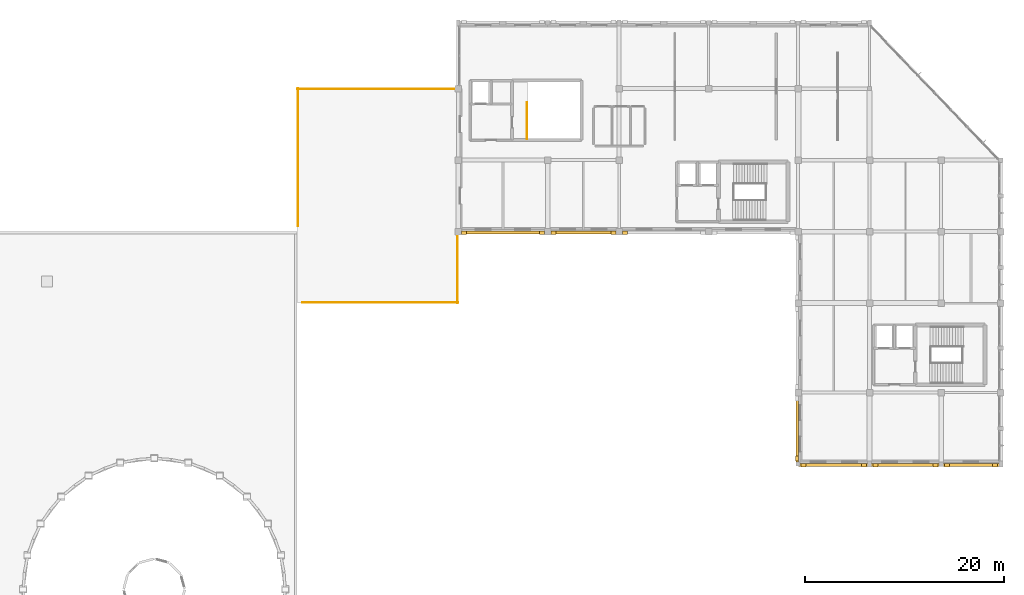
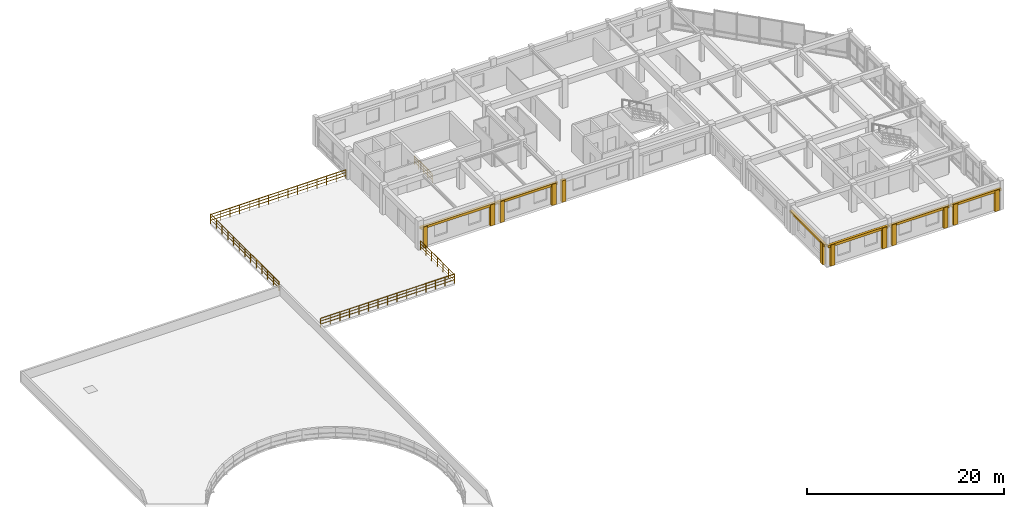
# One storey, part 16 of 18: 18 coverings, 5 railings.
"""IFC4 building model written with IfcOpenShell, lengths in metres."""

import ifcopenshell
import ifcopenshell.guid

model = None  # the IFC model being written
_history = None  # IfcOwnerHistory: only IFC2X3 demands one
_inside = {}  # id of a spatial element -> (the spatial element, [elements in it])
_under = {}  # id of a project, library or spatial element -> (it, [spatial elements below it])
_declared = {}  # id of a project -> (the project, [libraries it declares])
_typed = {}  # id of a type object -> (the type object, [elements of that type])
_made_of = {}  # id of a material, layer set ... -> (it, [elements and type objects made of it])


def new_model(schema):
    """Start an empty IFC model of exactly this schema.

    Asked for "IFC4X3", IfcOpenShell would pick the latest addendum, in which some entities
    have other attributes; the version numbers below select the first issue.
    IFC2X3 requires an IfcOwnerHistory on every rooted entity: one is made here for all.
    """
    global model, _history
    if schema == "IFC4X3":
        model = ifcopenshell.file(schema_version=(4, 3, 0, 0))
    else:
        model = ifcopenshell.file(schema=schema)
    _inside.clear()
    _under.clear()
    _declared.clear()
    _typed.clear()
    _made_of.clear()
    _history = None
    if model.schema == "IFC2X3":
        org = make("IfcOrganization", Name="unknown")
        user = make(
            "IfcPersonAndOrganization",
            ThePerson=make("IfcPerson", FamilyName="unknown"),
            TheOrganization=org,
        )
        app = make(
            "IfcApplication",
            ApplicationDeveloper=org,
            Version="unknown",
            ApplicationFullName="unknown",
            ApplicationIdentifier="unknown",
        )
        _history = make(
            "IfcOwnerHistory",
            OwningUser=user,
            OwningApplication=app,
            ChangeAction="ADDED",
            CreationDate=0,
        )
    return model


def make(cls, **values):
    """One entity of the class cls with the attributes given. An attribute that is None is left unset."""
    return model.create_entity(
        cls, **{name: value for name, value in values.items() if value is not None}
    )


def rooted(cls, **values):
    """An entity with a GlobalId (a new one), such as an element, a storey or a relation."""
    return make(cls, GlobalId=ifcopenshell.guid.new(), OwnerHistory=_history, **values)


def si_unit(unit_type, name, prefix=None):
    """IfcSIUnit, for example si_unit("LENGTHUNIT", "METRE", prefix="MILLI")."""
    return make("IfcSIUnit", UnitType=unit_type, Prefix=prefix, Name=name)


def assignment(units):
    """IfcUnitAssignment: the units of a project."""
    return None if units is None else make("IfcUnitAssignment", Units=units)


def point(xyz):
    """IfcCartesianPoint."""
    return None if xyz is None else make("IfcCartesianPoint", Coordinates=xyz)


def direction(xyz):
    """IfcDirection."""
    return None if xyz is None else make("IfcDirection", DirectionRatios=xyz)


def frame(location, z_axis=None, x_axis=None):
    """IfcAxis2Placement3D, a coordinate frame: its origin and axes. An axis left out is left unset."""
    return make(
        "IfcAxis2Placement3D",
        Location=point(location),
        Axis=direction(z_axis),
        RefDirection=direction(x_axis),
    )


def frame_2d(location, x_axis=None):
    """IfcAxis2Placement2D, a coordinate frame in the plane: its origin and x axis."""
    return make(
        "IfcAxis2Placement2D", Location=point(location), RefDirection=direction(x_axis)
    )


def origin():
    """The frame at (0, 0, 0) with its axes left unset."""
    return frame((0.0, 0.0, 0.0))


def origin_2d():
    """The frame at (0, 0) in the plane with its x axis left unset."""
    return frame_2d((0.0, 0.0))


def place(relative_to, where):
    """IfcLocalPlacement: puts the frame where relative to a parent placement (None: the world)."""
    return make(
        "IfcLocalPlacement", PlacementRelTo=relative_to, RelativePlacement=where
    )


def context(
    kind, dimensions, precision=None, world=None, true_north=None, identifier=None
):
    """IfcGeometricRepresentationContext, for example the 3D "Model" context."""
    return make(
        "IfcGeometricRepresentationContext",
        ContextIdentifier=identifier,
        ContextType=kind,
        CoordinateSpaceDimension=dimensions,
        Precision=precision,
        WorldCoordinateSystem=world,
        TrueNorth=true_north,
    )


def subcontext(parent, identifier, kind, view, scale=None):
    """IfcGeometricRepresentationSubContext, for example "Body" below "Model"."""
    return make(
        "IfcGeometricRepresentationSubContext",
        ContextIdentifier=identifier,
        ContextType=kind,
        ParentContext=parent,
        TargetScale=scale,
        TargetView=view,
    )


def project(units=None, contexts=None):
    """IfcProject with its units and contexts."""
    return rooted(
        "IfcProject",
        Name="project",
        RepresentationContexts=contexts,
        UnitsInContext=assignment(units),
    )


def spatial(cls, under=None, at=None, **own):
    """A site, building, storey or space (cls), placed at a placement, below another one or the project."""
    s = rooted(cls, ObjectPlacement=at, **own)
    if under is not None:
        _under.setdefault(under.id(), (under, []))[1].append(s)
    return s


def profile(cls, at=None, kind="AREA", **sizes):
    """A parametric profile (cls). Its sizes go by their IFC names, for example OverallWidth=200.0."""
    return make(cls, ProfileType=kind, Position=at, **sizes)


def rectangle(**sizes):
    """IfcRectangleProfileDef."""
    return profile("IfcRectangleProfileDef", **sizes)


def circle(**sizes):
    """IfcCircleProfileDef."""
    return profile("IfcCircleProfileDef", **sizes)


def extrude(swept, where, along, depth):
    """IfcExtrudedAreaSolid: the profile swept, set in the frame where, extruded along a direction by depth."""
    return make(
        "IfcExtrudedAreaSolid",
        SweptArea=swept,
        Position=where,
        ExtrudedDirection=direction(along),
        Depth=depth,
    )


def shape(context_of_items, identifier, shape_type, items):
    """IfcShapeRepresentation: the items that make up one representation, for example the "Body"."""
    return make(
        "IfcShapeRepresentation",
        ContextOfItems=context_of_items,
        RepresentationIdentifier=identifier,
        RepresentationType=shape_type,
        Items=items,
    )


def material(Name=None, Category=None):
    """IfcMaterial."""
    return make("IfcMaterial", Name=Name, Category=Category)


def layer(
    of_material, thickness, ventilated=None, Name=None, Category=None, Priority=None
):
    """IfcMaterialLayer: one layer of a wall or slab, of a material (None: an air gap)."""
    return make(
        "IfcMaterialLayer",
        Material=of_material,
        LayerThickness=thickness,
        IsVentilated=ventilated,
        Name=Name,
        Category=Category,
        Priority=Priority,
    )


def layer_set(layers, Name=None):
    """IfcMaterialLayerSet."""
    return make("IfcMaterialLayerSet", MaterialLayers=layers, LayerSetName=Name)


def made_of(thing, what):
    """Note that an element or type object is made of a material, layer set ...; save() writes the relation."""
    if what is not None:
        _made_of.setdefault(what.id(), (what, []))[1].append(thing)
    return thing


def type_object(cls, material=None, **own):
    """A type object (cls), such as IfcWallType, which elements share."""
    return made_of(rooted(cls, **own), material)


def element(
    cls,
    number,
    at=None,
    inside=None,
    cuts=None,
    type_object=None,
    material=None,
    context=None,
    identifier="Body",
    shape_type=None,
    held_by="IfcProductDefinitionShape",
    body=None,
    shapes=None,
    **own,
):
    """One element of the class cls, such as IfcWall. Its Tag is "e" and its number.

    at: its placement. inside: the storey or other place that contains it. cuts: it is an
    opening in that element (IfcRelVoidsElement). A single representation is given by context,
    identifier, shape_type and body (its items); several are given by shapes. held_by: the class
    of the entity that holds the representations. save() writes the other relations.
    """
    e = rooted(cls, Tag="e%d" % number, ObjectPlacement=at, **own)
    if body is not None:
        shapes = [shape(context, identifier, shape_type, body)]
    if shapes is not None:
        e.Representation = make(held_by, Representations=shapes)
    if inside is not None:
        _inside.setdefault(inside.id(), (inside, []))[1].append(e)
    if cuts is not None:
        rooted(
            "IfcRelVoidsElement", RelatingBuildingElement=cuts, RelatedOpeningElement=e
        )
    if type_object is not None:
        _typed.setdefault(type_object.id(), (type_object, []))[1].append(e)
    return made_of(e, material)


def aggregate(whole, parts):
    """IfcRelAggregates: a whole, such as a stair, and the parts it consists of."""
    return rooted("IfcRelAggregates", RelatingObject=whole, RelatedObjects=parts)


def save(model, path):
    """Write the relations noted so far, then the file.

    IfcRelAggregates (storeys below a building ...), IfcRelContainedInSpatialStructure (elements
    in a storey), IfcRelDefinesByType, IfcRelAssociatesMaterial and IfcRelDeclares: one each for
    every whole, place, type object, material and project.
    """
    for whole, parts in _under.values():
        aggregate(whole, parts)
    for where, things in _inside.values():
        rooted(
            "IfcRelContainedInSpatialStructure",
            RelatedElements=things,
            RelatingStructure=where,
        )
    for kind, things in _typed.values():
        rooted("IfcRelDefinesByType", RelatedObjects=things, RelatingType=kind)
    for what, things in _made_of.values():
        rooted("IfcRelAssociatesMaterial", RelatedObjects=things, RelatingMaterial=what)
    for by, libraries in _declared.values():
        rooted("IfcRelDeclares", RelatingContext=by, RelatedDefinitions=libraries)
    model.write(path)


model = new_model("IFC4")

# Units and contexts
model_context = context("Model", 3, precision=1e-05, world=origin(), true_north=direction((0.0, 1.0)))
body_context = subcontext(model_context, "Body", "Model", "MODEL_VIEW")
ifc_project = project(units=[si_unit("LENGTHUNIT", "METRE"), si_unit("AREAUNIT", "SQUARE_METRE"), si_unit("VOLUMEUNIT", "CUBIC_METRE"), si_unit("PLANEANGLEUNIT", "RADIAN"), si_unit("MASSUNIT", "GRAM", prefix="KILO")], contexts=[model_context])

# Site, building, storey
site_placement = place(None, origin())
site = spatial("IfcSite", under=ifc_project, at=site_placement, CompositionType="ELEMENT")
building_placement = place(site_placement, origin())
building = spatial("IfcBuilding", under=site, at=building_placement, Name="Clarverna Civic Hall", CompositionType="ELEMENT")
storey_placement = place(building_placement, frame((0.0, 0.0, 20.39990234375)))
storey = spatial("IfcBuildingStorey", under=building, at=storey_placement, Name="L05", CompositionType="ELEMENT", Elevation=20.39990234375)

# Coverings
ifc_material_1 = material(Name="Montjuic Buff Limestone Ashlar Cladding", Category="masonry")
ifc_layer = layer(ifc_material_1, 0.070068359375)
ifc_layer_set = layer_set([ifc_layer], Name="Montjuic Buff Limestone Ashlar Cladding")
covering_type = type_object("IfcCoveringType", Name="CV-CL2", PredefinedType="CLADDING", material=ifc_layer_set)
covering_1_placement = place(storey_placement, frame((167.93994140625, 71.52001953125, 2.31005859375), z_axis=(0.0, 0.0, 1.0), x_axis=(-1.0, 0.0, 0.0)))
element("IfcCovering", 1, at=covering_1_placement, inside=storey, type_object=covering_type, Name="CV-CL2-869", PredefinedType="CLADDING", context=body_context, shape_type="SweptSolid", body=[
    extrude(rectangle(XDim=5.8798828125, YDim=0.280029296875, at=frame_2d((2.93994140625, 0.0))), origin(), (0.0, 0.0, 1.0), 0.300048828125),
])
for number, where, z_axis, x_axis, name in (
    (2, (167.679931640625, 71.489990234375, 0.0), (0.0, 0.0, 1.0), (-1.0, 0.0, 0.0), "CV-CL2-870"),
    (3, (162.820068359375, 71.489990234375, 0.0), (0.0, 0.0, 1.0), (-1.0, 0.0, 0.0), "CV-CL2-871"),
):
    element("IfcCovering", number, at=place(storey_placement, frame(where, z_axis=z_axis, x_axis=x_axis)), inside=storey, type_object=covering_type, Name=name, PredefinedType="CLADDING", context=body_context, shape_type="SweptSolid", body=[
        extrude(rectangle(XDim=0.5, YDim=0.340087890625, at=frame_2d((0.25, 0.0))), origin(), (0.0, 0.0, 1.0), 2.590087890625),
    ])
covering_2_placement = place(storey_placement, frame((161.93994140625, 71.52001953125, 2.31005859375), z_axis=(0.0, 0.0, 1.0), x_axis=(-1.0, 0.0, 0.0)))
element("IfcCovering", 4, at=covering_2_placement, inside=storey, type_object=covering_type, Name="CV-CL2-872", PredefinedType="CLADDING", context=body_context, shape_type="SweptSolid", body=[
    extrude(rectangle(XDim=7.079833984375, YDim=0.280029296875, at=frame_2d((3.5400390625, 0.0))), origin(), (0.0, 0.0, 1.0), 0.300048828125),
])
for number, where, z_axis, x_axis, name in (
    (5, (161.679931640625, 71.489990234375, 0.0), (0.0, 0.0, 1.0), (-1.0, 0.0, 0.0), "CV-CL2-873"),
    (6, (155.6201171875, 71.489990234375, 0.0), (0.0, 0.0, 1.0), (-1.0, 0.0, 0.0), "CV-CL2-874"),
):
    element("IfcCovering", number, at=place(storey_placement, frame(where, z_axis=z_axis, x_axis=x_axis)), inside=storey, type_object=covering_type, Name=name, PredefinedType="CLADDING", context=body_context, shape_type="SweptSolid", body=[
        extrude(rectangle(XDim=0.5, YDim=0.340087890625, at=frame_2d((0.25, 0.0))), origin(), (0.0, 0.0, 1.0), 2.590087890625),
    ])
covering_3_placement = place(storey_placement, frame((154.739990234375, 71.52001953125, 2.31005859375), z_axis=(0.0, 0.0, 1.0), x_axis=(-1.0, 0.0, 0.0)))
element("IfcCovering", 7, at=covering_3_placement, inside=storey, type_object=covering_type, Name="CV-CL2-875", PredefinedType="CLADDING", context=body_context, shape_type="SweptSolid", body=[
    extrude(rectangle(XDim=7.080078125, YDim=0.280029296875, at=frame_2d((3.5400390625, 0.0))), origin(), (0.0, 0.0, 1.0), 0.300048828125),
])
for number, where, z_axis, x_axis, name in (
    (8, (154.47998046875, 71.489990234375, 0.0), (0.0, 0.0, 1.0), (-1.0, 0.0, 0.0), "CV-CL2-876"),
    (9, (148.419921875, 71.489990234375, 0.0), (0.0, 0.0, 1.0), (-1.0, 0.0, 0.0), "CV-CL2-877"),
):
    element("IfcCovering", number, at=place(storey_placement, frame(where, z_axis=z_axis, x_axis=x_axis)), inside=storey, type_object=covering_type, Name=name, PredefinedType="CLADDING", context=body_context, shape_type="SweptSolid", body=[
        extrude(rectangle(XDim=0.5, YDim=0.340087890625, at=frame_2d((0.25, 0.0))), origin(), (0.0, 0.0, 1.0), 2.590087890625),
    ])
covering_4_placement = place(storey_placement, frame((147.52001953125, 71.659912109375, 2.340087890625), z_axis=(0.0, 0.0, 1.0), x_axis=(0.0, 1.0, 0.0)))
element("IfcCovering", 10, at=covering_4_placement, inside=storey, type_object=covering_type, Name="CV-CL2-878", PredefinedType="CLADDING", context=body_context, shape_type="SweptSolid", body=[
    extrude(rectangle(XDim=7.080078125, YDim=0.280029296875, at=frame_2d((3.5400390625, 0.0))), origin(), (0.0, 0.0, 1.0), 0.300048828125),
])
covering_5_placement = place(storey_placement, frame((147.489990234375, 71.919921875, 0.0), z_axis=(0.0, 0.0, 1.0), x_axis=(0.0, 1.0, 0.0)))
element("IfcCovering", 11, at=covering_5_placement, inside=storey, type_object=covering_type, Name="CV-CL2-879", PredefinedType="CLADDING", context=body_context, shape_type="SweptSolid", body=[
    extrude(rectangle(XDim=0.5, YDim=0.340087890625, at=frame_2d((0.25, 0.0))), origin(), (0.0, 0.0, 1.0), 2.6201171875),
])
covering_6_placement = place(storey_placement, frame((130.419921875, 94.889892578125, 0.0), z_axis=(0.0, 0.0, 1.0), x_axis=(-1.0, 0.0, 0.0)))
element("IfcCovering", 12, at=covering_6_placement, inside=storey, type_object=covering_type, Name="CV-CL2-892", PredefinedType="CLADDING", context=body_context, shape_type="SweptSolid", body=[
    extrude(rectangle(XDim=0.5, YDim=0.340087890625, at=frame_2d((0.25, 0.0))), origin(), (0.0, 0.0, 1.0), 2.66015625),
])
covering_7_placement = place(storey_placement, frame((129.5400390625, 94.919921875, 2.340087890625), z_axis=(0.0, 0.0, 1.0), x_axis=(-1.0, 0.0, 0.0)))
element("IfcCovering", 13, at=covering_7_placement, inside=storey, type_object=covering_type, Name="CV-CL2-893", PredefinedType="CLADDING", context=body_context, shape_type="SweptSolid", body=[
    extrude(rectangle(XDim=7.080078125, YDim=0.280029296875, at=frame_2d((3.5400390625, 0.0))), origin(), (0.0, 0.0, 1.0), 0.300048828125),
])
for number, where, z_axis, x_axis, name in (
    (14, (129.280029296875, 94.889892578125, 0.0), (0.0, 0.0, 1.0), (-1.0, 0.0, 0.0), "CV-CL2-894"),
    (15, (123.219970703125, 94.889892578125, 0.0), (0.0, 0.0, 1.0), (-1.0, 0.0, 0.0), "CV-CL2-895"),
):
    element("IfcCovering", number, at=place(storey_placement, frame(where, z_axis=z_axis, x_axis=x_axis)), inside=storey, type_object=covering_type, Name=name, PredefinedType="CLADDING", context=body_context, shape_type="SweptSolid", body=[
        extrude(rectangle(XDim=0.5, YDim=0.340087890625, at=frame_2d((0.25, 0.0))), origin(), (0.0, 0.0, 1.0), 2.6201171875),
    ])
covering_8_placement = place(storey_placement, frame((122.340087890625, 94.919921875, 2.340087890625), z_axis=(0.0, 0.0, 1.0), x_axis=(-1.0, 0.0, 0.0)))
element("IfcCovering", 16, at=covering_8_placement, inside=storey, type_object=covering_type, Name="CV-CL2-896", PredefinedType="CLADDING", context=body_context, shape_type="SweptSolid", body=[
    extrude(rectangle(XDim=8.880126953125, YDim=0.280029296875, at=frame_2d((4.43994140625, 0.0))), origin(), (0.0, 0.0, 1.0), 0.300048828125),
])
for number, where, z_axis, x_axis, name in (
    (17, (122.080078125, 94.889892578125, 0.0), (0.0, 0.0, 1.0), (-1.0, 0.0, 0.0), "CV-CL2-897"),
    (18, (114.219970703125, 94.889892578125, 0.0), (0.0, 0.0, 1.0), (-1.0, 0.0, 0.0), "CV-CL2-898"),
):
    element("IfcCovering", number, at=place(storey_placement, frame(where, z_axis=z_axis, x_axis=x_axis)), inside=storey, type_object=covering_type, Name=name, PredefinedType="CLADDING", context=body_context, shape_type="SweptSolid", body=[
        extrude(rectangle(XDim=0.5, YDim=0.340087890625, at=frame_2d((0.25, 0.0))), origin(), (0.0, 0.0, 1.0), 2.6201171875),
    ])

# Railings
ifc_material_2 = material(Name="Anodised Bronze Architectural Balustrade")
railing_type_1 = type_object("IfcRailingType", Name="GR-01", PredefinedType="BALUSTRADE", material=ifc_material_2)
railing_1_placement = place(storey_placement, frame((113.340087890625, 94.679931640625, 0.0)))
element("IfcRailing", 19, at=railing_1_placement, inside=storey, type_object=railing_type_1, Name="GR-01-037", PredefinedType="BALUSTRADE", context=body_context, shape_type="SweptSolid", body=[
    extrude(circle(Radius=0.02392578125, at=origin_2d()), frame((0.0, 0.0, 1.09619140625), z_axis=(0.0, -1.0, 0.0), x_axis=(1.0, 0.0, 0.0)), (0.0, 0.0, 1.0), 6.8798828125),
    extrude(circle(Radius=0.011962890625, at=origin_2d()), frame((0.0, 0.0, 0.39208984375), z_axis=(0.0, -1.0, 0.0), x_axis=(1.0, 0.0, 0.0)), (0.0, 0.0, 1.0), 6.8798828125),
    extrude(circle(Radius=0.011962890625, at=origin_2d()), frame((0.0, 0.0, 0.76171875), z_axis=(0.0, -1.0, 0.0), x_axis=(1.0, 0.0, 0.0)), (0.0, 0.0, 1.0), 6.8798828125),
    extrude(circle(Radius=0.02099609375, at=origin_2d()), origin(), (0.0, 0.0, 1.0), 1.072021484375),
    extrude(circle(Radius=0.02099609375, at=origin_2d()), frame((0.0, -1.146728515625, 0.0)), (0.0, 0.0, 1.0), 1.072021484375),
    extrude(circle(Radius=0.02099609375, at=origin_2d()), frame((0.0, -2.293212890625, 0.0)), (0.0, 0.0, 1.0), 1.072021484375),
    extrude(circle(Radius=0.02099609375, at=origin_2d()), frame((0.0, -3.43994140625, 0.0)), (0.0, 0.0, 1.0), 1.072021484375),
    extrude(circle(Radius=0.02099609375, at=origin_2d()), frame((0.0, -4.586669921875, 0.0)), (0.0, 0.0, 1.0), 1.072021484375),
    extrude(circle(Radius=0.02099609375, at=origin_2d()), frame((0.0, -5.733154296875, 0.0)), (0.0, 0.0, 1.0), 1.072021484375),
    extrude(circle(Radius=0.02099609375, at=origin_2d()), frame((0.0, -6.8798828125, 0.0)), (0.0, 0.0, 1.0), 1.072021484375),
])
railing_2_placement = place(storey_placement, frame((113.39990234375, 87.860107421875, 0.0)))
element("IfcRailing", 20, at=railing_2_placement, inside=storey, type_object=railing_type_1, Name="GR-01-038", PredefinedType="BALUSTRADE", context=body_context, shape_type="SweptSolid", body=[
    extrude(circle(Radius=0.02392578125, at=origin_2d()), frame((0.0, 0.0, 1.09619140625), z_axis=(-1.0, 0.0, 0.0), x_axis=(0.0, -1.0, 0.0)), (0.0, 0.0, 1.0), 15.6748046875),
    extrude(circle(Radius=0.011962890625, at=origin_2d()), frame((0.0, 0.0, 0.39208984375), z_axis=(-1.0, 0.0, 0.0), x_axis=(0.0, -1.0, 0.0)), (0.0, 0.0, 1.0), 15.6748046875),
    extrude(circle(Radius=0.011962890625, at=origin_2d()), frame((0.0, 0.0, 0.76171875), z_axis=(-1.0, 0.0, 0.0), x_axis=(0.0, -1.0, 0.0)), (0.0, 0.0, 1.0), 15.6748046875),
    extrude(circle(Radius=0.02099609375, at=origin_2d()), origin(), (0.0, 0.0, 1.0), 1.072021484375),
    extrude(circle(Radius=0.02099609375, at=origin_2d()), frame((-1.11962890625, 0.0, 0.0)), (0.0, 0.0, 1.0), 1.072021484375),
    extrude(circle(Radius=0.02099609375, at=origin_2d()), frame((-2.2392578125, 0.0, 0.0)), (0.0, 0.0, 1.0), 1.072021484375),
    extrude(circle(Radius=0.02099609375, at=origin_2d()), frame((-3.35888671875, 0.0, 0.0)), (0.0, 0.0, 1.0), 1.072021484375),
    extrude(circle(Radius=0.02099609375, at=origin_2d()), frame((-4.478515625, 0.0, 0.0)), (0.0, 0.0, 1.0), 1.072021484375),
    extrude(circle(Radius=0.02099609375, at=origin_2d()), frame((-5.59814453125, 0.0, 0.0)), (0.0, 0.0, 1.0), 1.072021484375),
    extrude(circle(Radius=0.02099609375, at=origin_2d()), frame((-6.7177734375, 0.0, 0.0)), (0.0, 0.0, 1.0), 1.072021484375),
    extrude(circle(Radius=0.02099609375, at=origin_2d()), frame((-7.83740234375, 0.0, 0.0)), (0.0, 0.0, 1.0), 1.072021484375),
    extrude(circle(Radius=0.02099609375, at=origin_2d()), frame((-8.95703125, 0.0, 0.0)), (0.0, 0.0, 1.0), 1.072021484375),
    extrude(circle(Radius=0.02099609375, at=origin_2d()), frame((-10.07666015625, 0.0, 0.0)), (0.0, 0.0, 1.0), 1.072021484375),
    extrude(circle(Radius=0.02099609375, at=origin_2d()), frame((-11.1962890625, 0.0, 0.0)), (0.0, 0.0, 1.0), 1.072021484375),
    extrude(circle(Radius=0.02099609375, at=origin_2d()), frame((-12.31591796875, 0.0, 0.0)), (0.0, 0.0, 1.0), 1.072021484375),
    extrude(circle(Radius=0.02099609375, at=origin_2d()), frame((-13.435546875, 0.0, 0.0)), (0.0, 0.0, 1.0), 1.072021484375),
    extrude(circle(Radius=0.02099609375, at=origin_2d()), frame((-14.55517578125, 0.0, 0.0)), (0.0, 0.0, 1.0), 1.072021484375),
    extrude(circle(Radius=0.02099609375, at=origin_2d()), frame((-15.6748046875, 0.0, 0.0)), (0.0, 0.0, 1.0), 1.072021484375),
])
railing_3_placement = place(storey_placement, frame((97.284912109375, 95.547607421875, 0.0)))
element("IfcRailing", 21, at=railing_3_placement, inside=storey, type_object=railing_type_1, Name="GR-01-039", PredefinedType="BALUSTRADE", context=body_context, shape_type="SweptSolid", body=[
    extrude(circle(Radius=0.02392578125, at=origin_2d()), frame((0.0, 0.0, 1.09619140625), z_axis=(0.0, 1.0, 0.0), x_axis=(-1.0, 0.0, 0.0)), (0.0, 0.0, 1.0), 13.852294921875),
    extrude(circle(Radius=0.011962890625, at=origin_2d()), frame((0.0, 0.0, 0.39208984375), z_axis=(0.0, 1.0, 0.0), x_axis=(-1.0, 0.0, 0.0)), (0.0, 0.0, 1.0), 13.852294921875),
    extrude(circle(Radius=0.011962890625, at=origin_2d()), frame((0.0, 0.0, 0.76171875), z_axis=(0.0, 1.0, 0.0), x_axis=(-1.0, 0.0, 0.0)), (0.0, 0.0, 1.0), 13.852294921875),
    extrude(circle(Radius=0.02099609375, at=origin_2d()), origin(), (0.0, 0.0, 1.0), 1.072021484375),
    extrude(circle(Radius=0.02099609375, at=origin_2d()), frame((0.0, 1.154296875, 0.0)), (0.0, 0.0, 1.0), 1.072021484375),
    extrude(circle(Radius=0.02099609375, at=origin_2d()), frame((0.0, 2.30859375, 0.0)), (0.0, 0.0, 1.0), 1.072021484375),
    extrude(circle(Radius=0.02099609375, at=origin_2d()), frame((0.0, 3.463134765625, 0.0)), (0.0, 0.0, 1.0), 1.072021484375),
    extrude(circle(Radius=0.02099609375, at=origin_2d()), frame((0.0, 4.617431640625, 0.0)), (0.0, 0.0, 1.0), 1.072021484375),
    extrude(circle(Radius=0.02099609375, at=origin_2d()), frame((0.0, 5.771728515625, 0.0)), (0.0, 0.0, 1.0), 1.072021484375),
    extrude(circle(Radius=0.02099609375, at=origin_2d()), frame((0.0, 6.92626953125, 0.0)), (0.0, 0.0, 1.0), 1.072021484375),
    extrude(circle(Radius=0.02099609375, at=origin_2d()), frame((0.0, 8.08056640625, 0.0)), (0.0, 0.0, 1.0), 1.072021484375),
    extrude(circle(Radius=0.02099609375, at=origin_2d()), frame((0.0, 9.23486328125, 0.0)), (0.0, 0.0, 1.0), 1.072021484375),
    extrude(circle(Radius=0.02099609375, at=origin_2d()), frame((0.0, 10.38916015625, 0.0)), (0.0, 0.0, 1.0), 1.072021484375),
    extrude(circle(Radius=0.02099609375, at=origin_2d()), frame((0.0, 11.54345703125, 0.0)), (0.0, 0.0, 1.0), 1.072021484375),
    extrude(circle(Radius=0.02099609375, at=origin_2d()), frame((0.0, 12.697998046875, 0.0)), (0.0, 0.0, 1.0), 1.072021484375),
    extrude(circle(Radius=0.02099609375, at=origin_2d()), frame((0.0, 13.852294921875, 0.0)), (0.0, 0.0, 1.0), 1.072021484375),
])
railing_4_placement = place(storey_placement, frame((97.22509765625, 109.340087890625, 0.0)))
element("IfcRailing", 22, at=railing_4_placement, inside=storey, type_object=railing_type_1, Name="GR-01-040", PredefinedType="BALUSTRADE", context=body_context, shape_type="SweptSolid", body=[
    extrude(circle(Radius=0.02392578125, at=origin_2d()), frame((0.0, 0.0, 1.09619140625), z_axis=(1.0, 0.0, 0.0), x_axis=(0.0, 1.0, 0.0)), (0.0, 0.0, 1.0), 15.85498046875),
    extrude(circle(Radius=0.011962890625, at=origin_2d()), frame((0.0, 0.0, 0.39208984375), z_axis=(1.0, 0.0, 0.0), x_axis=(0.0, 1.0, 0.0)), (0.0, 0.0, 1.0), 15.85498046875),
    extrude(circle(Radius=0.011962890625, at=origin_2d()), frame((0.0, 0.0, 0.76171875), z_axis=(1.0, 0.0, 0.0), x_axis=(0.0, 1.0, 0.0)), (0.0, 0.0, 1.0), 15.85498046875),
    extrude(circle(Radius=0.02099609375, at=origin_2d()), origin(), (0.0, 0.0, 1.0), 1.072021484375),
    extrude(circle(Radius=0.02099609375, at=origin_2d()), frame((1.132568359375, 0.0, 0.0)), (0.0, 0.0, 1.0), 1.072021484375),
    extrude(circle(Radius=0.02099609375, at=origin_2d()), frame((2.264892578125, 0.0, 0.0)), (0.0, 0.0, 1.0), 1.072021484375),
    extrude(circle(Radius=0.02099609375, at=origin_2d()), frame((3.3974609375, 0.0, 0.0)), (0.0, 0.0, 1.0), 1.072021484375),
    extrude(circle(Radius=0.02099609375, at=origin_2d()), frame((4.530029296875, 0.0, 0.0)), (0.0, 0.0, 1.0), 1.072021484375),
    extrude(circle(Radius=0.02099609375, at=origin_2d()), frame((5.66259765625, 0.0, 0.0)), (0.0, 0.0, 1.0), 1.072021484375),
    extrude(circle(Radius=0.02099609375, at=origin_2d()), frame((6.794921875, 0.0, 0.0)), (0.0, 0.0, 1.0), 1.072021484375),
    extrude(circle(Radius=0.02099609375, at=origin_2d()), frame((7.927490234375, 0.0, 0.0)), (0.0, 0.0, 1.0), 1.072021484375),
    extrude(circle(Radius=0.02099609375, at=origin_2d()), frame((9.06005859375, 0.0, 0.0)), (0.0, 0.0, 1.0), 1.072021484375),
    extrude(circle(Radius=0.02099609375, at=origin_2d()), frame((10.1923828125, 0.0, 0.0)), (0.0, 0.0, 1.0), 1.072021484375),
    extrude(circle(Radius=0.02099609375, at=origin_2d()), frame((11.324951171875, 0.0, 0.0)), (0.0, 0.0, 1.0), 1.072021484375),
    extrude(circle(Radius=0.02099609375, at=origin_2d()), frame((12.45751953125, 0.0, 0.0)), (0.0, 0.0, 1.0), 1.072021484375),
    extrude(circle(Radius=0.02099609375, at=origin_2d()), frame((13.590087890625, 0.0, 0.0)), (0.0, 0.0, 1.0), 1.072021484375),
    extrude(circle(Radius=0.02099609375, at=origin_2d()), frame((14.722412109375, 0.0, 0.0)), (0.0, 0.0, 1.0), 1.072021484375),
    extrude(circle(Radius=0.02099609375, at=origin_2d()), frame((15.85498046875, 0.0, 0.0)), (0.0, 0.0, 1.0), 1.072021484375),
])
railing_type_2 = type_object("IfcRailingType", Name="GR-02", PredefinedType="BALUSTRADE", material=ifc_material_2)
railing_5_placement = place(storey_placement, frame((120.31005859375, 104.340087890625, 0.0)))
element("IfcRailing", 23, at=railing_5_placement, inside=storey, type_object=railing_type_2, Name="GR-02-175", PredefinedType="BALUSTRADE", context=body_context, shape_type="SweptSolid", body=[
    extrude(circle(Radius=0.02392578125, at=origin_2d()), frame((0.0, 0.0, 1.09619140625), z_axis=(0.0, 1.0, 0.0), x_axis=(-1.0, 0.0, 0.0)), (0.0, 0.0, 1.0), 3.659912109375),
    extrude(circle(Radius=0.011962890625, at=origin_2d()), frame((0.0, 0.0, 0.39208984375), z_axis=(0.0, 1.0, 0.0), x_axis=(-1.0, 0.0, 0.0)), (0.0, 0.0, 1.0), 3.659912109375),
    extrude(circle(Radius=0.011962890625, at=origin_2d()), frame((0.0, 0.0, 0.76171875), z_axis=(0.0, 1.0, 0.0), x_axis=(-1.0, 0.0, 0.0)), (0.0, 0.0, 1.0), 3.659912109375),
    extrude(circle(Radius=0.02099609375, at=origin_2d()), origin(), (0.0, 0.0, 1.0), 1.072021484375),
    extrude(circle(Radius=0.02099609375, at=origin_2d()), frame((0.0, 0.9150390625, 0.0)), (0.0, 0.0, 1.0), 1.072021484375),
    extrude(circle(Radius=0.02099609375, at=origin_2d()), frame((0.0, 1.830078125, 0.0)), (0.0, 0.0, 1.0), 1.072021484375),
    extrude(circle(Radius=0.02099609375, at=origin_2d()), frame((0.0, 2.744873046875, 0.0)), (0.0, 0.0, 1.0), 1.072021484375),
    extrude(circle(Radius=0.02099609375, at=origin_2d()), frame((0.0, 3.659912109375, 0.0)), (0.0, 0.0, 1.0), 1.072021484375),
])

save(model, "model.ifc")
